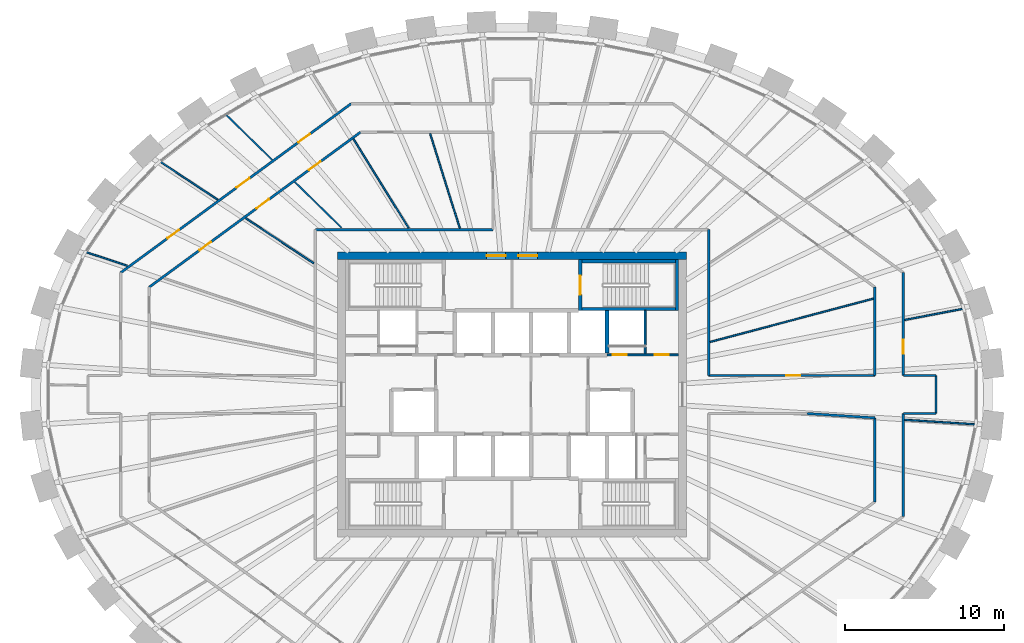
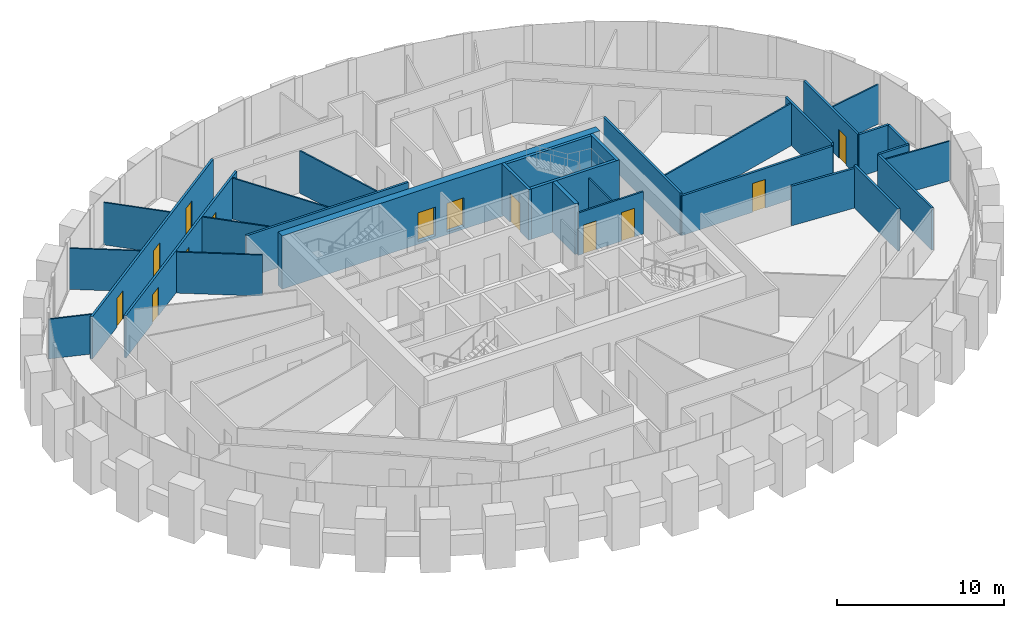
# One storey, part 9 of 11: 31 walls, 13 doors, 13 openings.
"""IFC4 building model written with IfcOpenShell, lengths in metres."""

from ifc_helpers import new_model, si_unit, direction, frame, frame_2d, origin, place, context, subcontext, project, spatial, rectangle, extrude, source, transform, mapped, material, layer, layer_set, type_object, element, fill, save


model = new_model("IFC4")

# Units and contexts
model_context = context("Model", 3, precision=1e-05, world=origin(), true_north=direction((0.0, 1.0)))
body_context = subcontext(model_context, "Body", "Model", "MODEL_VIEW")
ifc_project = project(units=[si_unit("LENGTHUNIT", "METRE"), si_unit("AREAUNIT", "SQUARE_METRE"), si_unit("VOLUMEUNIT", "CUBIC_METRE"), si_unit("PLANEANGLEUNIT", "RADIAN"), si_unit("MASSUNIT", "GRAM", prefix="KILO")], contexts=[model_context])

# Site, building, storey
site_placement = place(None, origin())
site = spatial("IfcSite", under=ifc_project, at=site_placement, CompositionType="ELEMENT")
building_placement = place(site_placement, origin())
building = spatial("IfcBuilding", under=site, at=building_placement, Name="Embergate Tower", CompositionType="ELEMENT")
storey_placement = place(building_placement, frame((0.0, 0.0, 305.199951171875)))
storey = spatial("IfcBuildingStorey", under=building, at=storey_placement, Name="L71", CompositionType="ELEMENT", Elevation=305.199951171875)

# Wall, openings, doors
ifc_material_1 = material(Name="Concrete C50", Category="concrete")
ifc_layer_1 = layer(ifc_material_1, 0.5)
ifc_layer_set_1 = layer_set([ifc_layer_1], Name="Concrete C50")
wall_type_1 = type_object("IfcWallType", Name="Core outer wall C50 500", PredefinedType="SHEAR", material=ifc_layer_set_1)
shared_shape_1 = source(origin(), body_context, "Body", "SweptSolid", [
    extrude(rectangle(XDim=22.0, YDim=0.5, at=frame_2d((11.0, 0.0))), origin(), (0.0, 0.0, 1.0), 3.89990234375),
])
wall_1_placement = place(storey_placement, frame((-11.0, 8.75, -0.199951171875), z_axis=(0.0, 0.0, 1.0), x_axis=(1.0, 0.0, 0.0)))
wall_1 = element("IfcWall", 1, at=wall_1_placement, inside=storey, type_object=wall_type_1, Name="CW-L71-N", PredefinedType="SHEAR", context=body_context, shape_type="MappedRepresentation", body=[
    mapped(shared_shape_1, transform((0.0, 0.0, 0.0))),
])
shared_shape_2 = source(origin(), body_context, "Body", "SweptSolid", [
    extrude(rectangle(XDim=1.199951171875, YDim=2.10009765625, at=frame_2d((0.60009765625, 1.050048828125))), frame((0.0, 0.260009765625, 0.0), z_axis=(0.0, -1.0, 0.0), x_axis=(1.0, 0.0, 0.0)), (0.0, 0.0, 1.0), 0.52001953125),
])
opening_1_placement = place(wall_1_placement, frame((9.39990234375, 0.0, 0.199951171875)))
opening_1 = element("IfcOpeningElement", 2, at=opening_1_placement, cuts=wall_1, Name="Opening IF-1", PredefinedType="OPENING", context=body_context, shape_type="MappedRepresentation", body=[
    mapped(shared_shape_2, transform((0.0, 0.0, 0.0))),
])
opening_2_placement = place(wall_1_placement, frame((11.39990234375, 0.0, 0.199951171875)))
opening_2 = element("IfcOpeningElement", 3, at=opening_2_placement, cuts=wall_1, Name="Opening IF-1", PredefinedType="OPENING", context=body_context, shape_type="MappedRepresentation", body=[
    mapped(shared_shape_2, transform((0.0, 0.0, 0.0))),
])
ifc_material_2 = material(Name="Escape fire door 1200")
door_type_1 = type_object("IfcDoorType", Name="Escape fire door 1200", OperationType="SINGLE_SWING_LEFT", PredefinedType="DOOR", material=ifc_material_2)
shared_shape_3 = source(origin(), body_context, "Body", "SweptSolid", [
    extrude(rectangle(XDim=1.199951171875, YDim=2.10009765625, at=frame_2d((0.60009765625, 1.050048828125))), frame((0.0, 0.02490234375, 0.0), z_axis=(0.0, -1.0, 0.0), x_axis=(1.0, 0.0, 0.0)), (0.0, 0.0, 1.0), 0.050048828125),
])
door_1_placement = place(opening_1_placement, origin())
door_1 = element("IfcDoor", 4, at=door_1_placement, inside=storey, type_object=door_type_1, Name="IF-1 door", OperationType="SINGLE_SWING_LEFT", OverallHeight=2.10009765625, OverallWidth=1.199951171875, PredefinedType="DOOR", context=body_context, shape_type="MappedRepresentation", body=[
    mapped(shared_shape_3, transform((0.0, 0.0, 0.0))),
])
fill(opening_1, door_1)
door_2_placement = place(opening_2_placement, origin())
door_2 = element("IfcDoor", 5, at=door_2_placement, inside=storey, type_object=door_type_1, Name="IF-1 door", OperationType="SINGLE_SWING_RIGHT", OverallHeight=2.10009765625, OverallWidth=1.199951171875, PredefinedType="DOOR", context=body_context, shape_type="MappedRepresentation", body=[
    mapped(shared_shape_3, transform((0.0, 0.0, 0.0))),
])
fill(opening_2, door_2)

# Walls
ifc_layer_2 = layer(ifc_material_1, 0.25)
ifc_layer_set_2 = layer_set([ifc_layer_2], Name="Concrete C50")
wall_type_2 = type_object("IfcWallType", Name="Hoistway wall reinforced concrete 250", PredefinedType="SHEAR", material=ifc_layer_set_2)
shared_shape_4 = source(origin(), body_context, "Body", "SweptSolid", [
    extrude(rectangle(XDim=2.675048828125, YDim=0.25, at=frame_2d((1.33740234375, 0.0))), origin(), (0.0, 0.0, 1.0), 3.699951171875),
])
wall_2_placement = place(storey_placement, frame((6.0, 2.625, 0.0), z_axis=(0.0, 0.0, 1.0), x_axis=(0.0, 1.0, 0.0)))
element("IfcWall", 6, at=wall_2_placement, inside=storey, type_object=wall_type_2, Name="HW-1 wall", PredefinedType="SHEAR", context=body_context, shape_type="MappedRepresentation", body=[
    mapped(shared_shape_4, transform((0.0, 0.0, 0.0))),
])
ifc_layer_3 = layer(ifc_material_1, 0.199951171875)
ifc_layer_set_3 = layer_set([ifc_layer_3], Name="Concrete C50")
wall_type_3 = type_object("IfcWallType", Name="Stair enclosure wall reinforced concrete 250", PredefinedType="SHEAR", material=ifc_layer_set_3)
shared_shape_5 = source(origin(), body_context, "Body", "SweptSolid", [
    extrude(rectangle(XDim=6.300048828125, YDim=0.199951171875, at=frame_2d((3.14990234375, 0.0))), origin(), (0.0, 0.0, 1.0), 3.699951171875),
])
wall_3_placement = place(storey_placement, frame((10.5, 5.39990234375, 0.0), z_axis=(0.0, 0.0, 1.0), x_axis=(-1.0, 0.0, 0.0)))
element("IfcWall", 7, at=wall_3_placement, inside=storey, type_object=wall_type_3, Name="SE-1 wall", PredefinedType="SHEAR", context=body_context, shape_type="MappedRepresentation", body=[
    mapped(shared_shape_5, transform((0.0, 0.0, 0.0))),
])
ifc_material_3 = material(Name="Core partition blockwork 120")
ifc_layer_4 = layer(ifc_material_3, 0.1201171875)
ifc_layer_set_4 = layer_set([ifc_layer_4], Name="Core partition blockwork 120")
wall_type_4 = type_object("IfcWallType", Name="Core partition blockwork 120", PredefinedType="PARTITIONING", material=ifc_layer_set_4)
shared_shape_6 = source(origin(), body_context, "Body", "SweptSolid", [
    extrude(rectangle(XDim=2.739990234375, YDim=0.1201171875, at=frame_2d((1.3701171875, 0.0))), origin(), (0.0, 0.0, 1.0), 3.10009765625),
])
wall_4_placement = place(storey_placement, frame((8.39990234375, 2.56005859375, 0.0), z_axis=(0.0, 0.0, 1.0), x_axis=(0.0, 1.0, 0.0)))
element("IfcWall", 8, at=wall_4_placement, inside=storey, type_object=wall_type_4, Name="IP-3 wall", PredefinedType="PARTITIONING", context=body_context, shape_type="MappedRepresentation", body=[
    mapped(shared_shape_6, transform((0.0, 0.0, 0.0))),
])

# Wall, opening, door
shared_shape_7 = source(origin(), body_context, "Body", "SweptSolid", [
    extrude(rectangle(XDim=3.199951171875, YDim=0.199951171875, at=frame_2d((1.60009765625, 0.0))), origin(), (0.0, 0.0, 1.0), 3.699951171875),
])
wall_5_placement = place(storey_placement, frame((4.300048828125, 8.5, 0.0), z_axis=(0.0, 0.0, 1.0), x_axis=(0.0, -1.0, 0.0)))
wall_5 = element("IfcWall", 9, at=wall_5_placement, inside=storey, type_object=wall_type_3, Name="SE-1 wall", PredefinedType="SHEAR", context=body_context, shape_type="MappedRepresentation", body=[
    mapped(shared_shape_7, transform((0.0, 0.0, 0.0))),
])
shared_shape_8 = source(origin(), body_context, "Body", "SweptSolid", [
    extrude(rectangle(XDim=1.199951171875, YDim=2.10009765625, at=frame_2d((0.60009765625, 1.050048828125))), frame((0.0, 0.10986328125, 0.0), z_axis=(0.0, -1.0, 0.0), x_axis=(1.0, 0.0, 0.0)), (0.0, 0.0, 1.0), 0.219970703125),
])
opening_3_placement = place(wall_5_placement, frame((1.0, 0.0, 0.0)))
opening_3 = element("IfcOpeningElement", 10, at=opening_3_placement, cuts=wall_5, Name="Opening IF-2", PredefinedType="OPENING", context=body_context, shape_type="MappedRepresentation", body=[
    mapped(shared_shape_8, transform((0.0, 0.0, 0.0))),
])
ifc_material_4 = material(Name="Stair enclosure door 1200")
door_type_2 = type_object("IfcDoorType", Name="Stair enclosure door 1200", OperationType="SINGLE_SWING_LEFT", PredefinedType="DOOR", material=ifc_material_4)
door_3_placement = place(opening_3_placement, origin())
door_3 = element("IfcDoor", 11, at=door_3_placement, inside=storey, type_object=door_type_2, Name="IF-2 door", OperationType="SINGLE_SWING_LEFT", OverallHeight=2.10009765625, OverallWidth=1.199951171875, PredefinedType="DOOR", context=body_context, shape_type="MappedRepresentation", body=[
    mapped(shared_shape_3, transform((0.0, 0.0, 0.0))),
])
fill(opening_3, door_3)

# Walls
ifc_material_5 = material(Name="Partition dry-lined 100")
ifc_layer_5 = layer(ifc_material_5, 0.10009765625)
ifc_layer_set_5 = layer_set([ifc_layer_5], Name="Partition dry-lined 100")
wall_type_5 = type_object("IfcWallType", Name="Partition dry-lined 100", PredefinedType="PARTITIONING", material=ifc_layer_set_5)
shared_shape_9 = source(origin(), body_context, "Body", "SweptSolid", [
    extrude(rectangle(XDim=4.35986328125, YDim=0.10009765625, at=frame_2d((2.179931640625, 0.0))), origin(), (0.0, 0.0, 1.0), 3.0),
])
wall_6_placement = place(storey_placement, frame((-18.56103515625, 12.283935546875, 0.0), z_axis=(0.0, 0.0, 1.0), x_axis=(-0.833949259323, 0.551841130104, 0.0)))
element("IfcWall", 12, at=wall_6_placement, inside=storey, type_object=wall_type_5, Name="IP-1 wall", PredefinedType="PARTITIONING", context=body_context, shape_type="MappedRepresentation", body=[
    mapped(shared_shape_9, transform((0.0, 0.0, 0.0))),
])
shared_shape_10 = source(origin(), body_context, "Body", "SweptSolid", [
    extrude(rectangle(XDim=6.298095703125, YDim=0.199951171875, at=frame_2d((3.14892578125, 0.0))), origin(), (0.0, 0.0, 1.0), 3.699951171875),
])
wall_7_placement = place(storey_placement, frame((10.5, 8.39990234375, 0.0), z_axis=(0.0, 0.0, 1.0), x_axis=(-1.0, 0.0, 0.0)))
element("IfcWall", 13, at=wall_7_placement, inside=storey, type_object=wall_type_3, Name="SE-1 wall", PredefinedType="SHEAR", context=body_context, shape_type="MappedRepresentation", body=[
    mapped(shared_shape_10, transform((0.0, 0.0, 0.0))),
])
shared_shape_11 = source(origin(), body_context, "Body", "SweptSolid", [
    extrude(rectangle(XDim=3.197998046875, YDim=0.199951171875, at=frame_2d((1.59912109375, 0.0))), origin(), (0.0, 0.0, 1.0), 3.699951171875),
])
wall_8_placement = place(storey_placement, frame((10.39990234375, 5.302001953125, 0.0), z_axis=(0.0, 0.0, 1.0), x_axis=(0.0, 1.0, 0.0)))
element("IfcWall", 14, at=wall_8_placement, inside=storey, type_object=wall_type_3, Name="SE-1 wall", PredefinedType="SHEAR", context=body_context, shape_type="MappedRepresentation", body=[
    mapped(shared_shape_11, transform((0.0, 0.0, 0.0))),
])
ifc_material_6 = material(Name="Corridor wall dry-lined 150")
ifc_layer_6 = layer(ifc_material_6, 0.14990234375)
ifc_layer_set_6 = layer_set([ifc_layer_6], Name="Corridor wall dry-lined 150")
wall_type_6 = type_object("IfcWallType", Name="Corridor wall dry-lined 150", PredefinedType="PARTITIONING", material=ifc_layer_set_6)
shared_shape_12 = source(origin(), body_context, "Body", "SweptSolid", [
    extrude(rectangle(XDim=9.199951171875, YDim=0.14990234375, at=frame_2d((4.60009765625, 0.0))), origin(), (0.0, 0.0, 1.0), 3.10009765625),
])
wall_9_placement = place(storey_placement, frame((12.39990234375, 10.39990234375, 0.0), z_axis=(0.0, 0.0, 1.0), x_axis=(0.0, -1.0, 0.0)))
element("IfcWall", 15, at=wall_9_placement, inside=storey, type_object=wall_type_6, Name="IP-2 wall", PredefinedType="PARTITIONING", context=body_context, shape_type="MappedRepresentation", body=[
    mapped(shared_shape_12, transform((0.0, 0.0, 0.0))),
])
shared_shape_13 = source(origin(), body_context, "Body", "SweptSolid", [
    extrude(rectangle(XDim=11.199951171875, YDim=0.14990234375, at=frame_2d((5.60009765625, 0.0))), origin(), (0.0, 0.0, 1.0), 3.10009765625),
])
wall_10_placement = place(storey_placement, frame((-12.39990234375, 10.39990234375, 0.0), z_axis=(0.0, 0.0, 1.0), x_axis=(1.0, 0.0, 0.0)))
element("IfcWall", 16, at=wall_10_placement, inside=storey, type_object=wall_type_6, Name="IP-2 wall", PredefinedType="PARTITIONING", context=body_context, shape_type="MappedRepresentation", body=[
    mapped(shared_shape_13, transform((0.0, 0.0, 0.0))),
])
shared_shape_14 = source(origin(), body_context, "Body", "SweptSolid", [
    extrude(rectangle(XDim=2.39990234375, YDim=0.14990234375, at=frame_2d((1.199951171875, 0.0))), origin(), (0.0, 0.0, 1.0), 3.10009765625),
])
wall_11_placement = place(storey_placement, frame((26.740966796875, -1.199951171875, 0.0), z_axis=(0.0, 0.0, 1.0), x_axis=(0.0, 1.0, 0.0)))
element("IfcWall", 17, at=wall_11_placement, inside=storey, type_object=wall_type_6, Name="IP-2 wall", PredefinedType="PARTITIONING", context=body_context, shape_type="MappedRepresentation", body=[
    mapped(shared_shape_14, transform((0.0, 0.0, 0.0))),
])

# Wall, openings, doors
shared_shape_15 = source(origin(), body_context, "Body", "SweptSolid", [
    extrude(rectangle(XDim=4.5, YDim=0.1201171875, at=frame_2d((2.25, 0.0))), origin(), (0.0, 0.0, 1.0), 3.10009765625),
])
wall_12_placement = place(storey_placement, frame((6.0, 2.5, 0.0), z_axis=(0.0, 0.0, 1.0), x_axis=(1.0, 0.0, 0.0)))
wall_12 = element("IfcWall", 18, at=wall_12_placement, inside=storey, type_object=wall_type_4, Name="IP-3 wall", PredefinedType="PARTITIONING", context=body_context, shape_type="MappedRepresentation", body=[
    mapped(shared_shape_15, transform((0.0, 0.0, 0.0))),
])
shared_shape_16 = source(origin(), body_context, "Body", "SweptSolid", [
    extrude(rectangle(XDim=0.89990234375, YDim=2.10009765625, at=frame_2d((0.449951171875, 1.050048828125))), frame((0.0, 0.070068359375, 0.0), z_axis=(0.0, -1.0, 0.0), x_axis=(1.0, 0.0, 0.0)), (0.0, 0.0, 1.0), 0.14013671875),
])
opening_4_placement = place(wall_12_placement, frame((0.35009765625, 0.0, 0.0)))
opening_4 = element("IfcOpeningElement", 19, at=opening_4_placement, cuts=wall_12, Name="Opening ID-1", PredefinedType="OPENING", context=body_context, shape_type="MappedRepresentation", body=[
    mapped(shared_shape_16, transform((0.0, 0.0, 0.0))),
])
opening_5_placement = place(wall_12_placement, frame((3.0, 0.0, 0.0)))
opening_5 = element("IfcOpeningElement", 20, at=opening_5_placement, cuts=wall_12, Name="Opening ID-1", PredefinedType="OPENING", context=body_context, shape_type="MappedRepresentation", body=[
    mapped(shared_shape_16, transform((0.0, 0.0, 0.0))),
])
ifc_material_7 = material(Name="Interior door 900")
door_type_3 = type_object("IfcDoorType", Name="Interior door 900", OperationType="SINGLE_SWING_LEFT", PredefinedType="DOOR", material=ifc_material_7)
shared_shape_17 = source(origin(), body_context, "Body", "SweptSolid", [
    extrude(rectangle(XDim=0.89990234375, YDim=2.10009765625, at=frame_2d((0.449951171875, 1.050048828125))), frame((0.0, 0.02490234375, 0.0), z_axis=(0.0, -1.0, 0.0), x_axis=(1.0, 0.0, 0.0)), (0.0, 0.0, 1.0), 0.050048828125),
])
door_4_placement = place(opening_4_placement, origin())
door_4 = element("IfcDoor", 21, at=door_4_placement, inside=storey, type_object=door_type_3, Name="ID-1 door", OperationType="SINGLE_SWING_LEFT", OverallHeight=2.10009765625, OverallWidth=0.89990234375, PredefinedType="DOOR", context=body_context, shape_type="MappedRepresentation", body=[
    mapped(shared_shape_17, transform((0.0, 0.0, 0.0))),
])
fill(opening_4, door_4)
door_5_placement = place(opening_5_placement, origin())
door_5 = element("IfcDoor", 22, at=door_5_placement, inside=storey, type_object=door_type_3, Name="ID-1 door", OperationType="SINGLE_SWING_RIGHT", OverallHeight=2.10009765625, OverallWidth=0.89990234375, PredefinedType="DOOR", context=body_context, shape_type="MappedRepresentation", body=[
    mapped(shared_shape_17, transform((0.0, 0.0, 0.0))),
])
fill(opening_5, door_5)

shared_shape_18 = source(origin(), body_context, "Body", "SweptSolid", [
    extrude(rectangle(XDim=18.027099609375, YDim=0.14990234375, at=frame_2d((9.013671875, 0.0))), origin(), (0.0, 0.0, 1.0), 3.10009765625),
])
wall_13_placement = place(storey_placement, frame((-10.14501953125, 18.341064453125, 0.0), z_axis=(0.0, 0.0, 1.0), x_axis=(-0.80638475932, -0.591391257914, 0.0)))
wall_13 = element("IfcWall", 23, at=wall_13_placement, inside=storey, type_object=wall_type_6, Name="IP-2 wall", PredefinedType="PARTITIONING", context=body_context, shape_type="MappedRepresentation", body=[
    mapped(shared_shape_18, transform((0.0, 0.0, 0.0))),
])
shared_shape_19 = source(origin(), body_context, "Body", "SweptSolid", [
    extrude(rectangle(XDim=0.89990234375, YDim=2.10009765625, at=frame_2d((0.449951171875, 1.050048828125))), frame((0.0, 0.0849609375, 0.0), z_axis=(0.0, -1.0, 0.0), x_axis=(1.0, 0.0, 0.0)), (0.0, 0.0, 1.0), 0.169921875),
])
opening_6_placement = place(wall_13_placement, frame((3.23291015625, 0.0, 0.0)))
opening_6 = element("IfcOpeningElement", 24, at=opening_6_placement, cuts=wall_13, Name="Opening IF-1c", PredefinedType="OPENING", context=body_context, shape_type="MappedRepresentation", body=[
    mapped(shared_shape_19, transform((0.0, 0.0, 0.0))),
])
shared_shape_20 = source(origin(), body_context, "Body", "SweptSolid", [
    extrude(rectangle(XDim=1.0, YDim=2.10009765625, at=frame_2d((0.5, 1.050048828125))), frame((0.0, 0.0849609375, 0.0), z_axis=(0.0, -1.0, 0.0), x_axis=(1.0, 0.0, 0.0)), (0.0, 0.0, 1.0), 0.169921875),
])
opening_7_placement = place(wall_13_placement, frame((7.953125, 0.0, 0.0)))
opening_7 = element("IfcOpeningElement", 25, at=opening_7_placement, cuts=wall_13, Name="Opening ID-2", PredefinedType="OPENING", context=body_context, shape_type="MappedRepresentation", body=[
    mapped(shared_shape_20, transform((0.0, 0.0, 0.0))),
])
opening_8_placement = place(wall_13_placement, frame((13.453369140625, 0.0, 0.0)))
opening_8 = element("IfcOpeningElement", 26, at=opening_8_placement, cuts=wall_13, Name="Opening IF-1c", PredefinedType="OPENING", context=body_context, shape_type="MappedRepresentation", body=[
    mapped(shared_shape_19, transform((0.0, 0.0, 0.0))),
])
ifc_material_8 = material(Name="Escape fire door 900")
door_type_4 = type_object("IfcDoorType", Name="Escape fire door 900", OperationType="SINGLE_SWING_LEFT", PredefinedType="DOOR", material=ifc_material_8)
door_6_placement = place(opening_6_placement, origin())
door_6 = element("IfcDoor", 27, at=door_6_placement, inside=storey, type_object=door_type_4, Name="IF-1 door", OperationType="SINGLE_SWING_RIGHT", OverallHeight=2.10009765625, OverallWidth=0.89990234375, PredefinedType="DOOR", context=body_context, shape_type="MappedRepresentation", body=[
    mapped(shared_shape_17, transform((0.0, 0.0, 0.0))),
])
fill(opening_6, door_6)
door_7_placement = place(opening_8_placement, origin())
door_7 = element("IfcDoor", 28, at=door_7_placement, inside=storey, type_object=door_type_4, Name="IF-1 door", OperationType="SINGLE_SWING_RIGHT", OverallHeight=2.10009765625, OverallWidth=0.89990234375, PredefinedType="DOOR", context=body_context, shape_type="MappedRepresentation", body=[
    mapped(shared_shape_17, transform((0.0, 0.0, 0.0))),
])
fill(opening_8, door_7)
ifc_material_9 = material(Name="Interior door 1000")
door_type_5 = type_object("IfcDoorType", Name="Interior door 1000", OperationType="SINGLE_SWING_LEFT", PredefinedType="DOOR", material=ifc_material_9)
shared_shape_21 = source(origin(), body_context, "Body", "SweptSolid", [
    extrude(rectangle(XDim=1.0, YDim=2.10009765625, at=frame_2d((0.5, 1.050048828125))), frame((0.0, 0.02490234375, 0.0), z_axis=(0.0, -1.0, 0.0), x_axis=(1.0, 0.0, 0.0)), (0.0, 0.0, 1.0), 0.050048828125),
])
door_8_placement = place(opening_7_placement, origin())
door_8 = element("IfcDoor", 29, at=door_8_placement, inside=storey, type_object=door_type_5, Name="ID-2 door", OperationType="SINGLE_SWING_RIGHT", OverallHeight=2.10009765625, OverallWidth=1.0, PredefinedType="DOOR", context=body_context, shape_type="MappedRepresentation", body=[
    mapped(shared_shape_21, transform((0.0, 0.0, 0.0))),
])
fill(opening_7, door_8)

shared_shape_22 = source(origin(), body_context, "Body", "SweptSolid", [
    extrude(rectangle(XDim=16.525634765625, YDim=0.14990234375, at=frame_2d((8.2626953125, 0.0))), origin(), (0.0, 0.0, 1.0), 3.10009765625),
])
wall_14_placement = place(storey_placement, frame((-22.882080078125, 6.76806640625, 0.0), z_axis=(0.0, 0.0, 1.0), x_axis=(0.806392784122, 0.591380315631, 0.0)))
wall_14 = element("IfcWall", 30, at=wall_14_placement, inside=storey, type_object=wall_type_6, Name="IP-2 wall", PredefinedType="PARTITIONING", context=body_context, shape_type="MappedRepresentation", body=[
    mapped(shared_shape_22, transform((0.0, 0.0, 0.0))),
])
opening_9_placement = place(wall_14_placement, frame((12.513671875, 0.0, 0.0)))
opening_9 = element("IfcOpeningElement", 31, at=opening_9_placement, cuts=wall_14, Name="Opening IF-1c", PredefinedType="OPENING", context=body_context, shape_type="MappedRepresentation", body=[
    mapped(shared_shape_19, transform((0.0, 0.0, 0.0))),
])
opening_10_placement = place(wall_14_placement, frame((8.378662109375, 0.0, 0.0)))
opening_10 = element("IfcOpeningElement", 32, at=opening_10_placement, cuts=wall_14, Name="Opening ID-2", PredefinedType="OPENING", context=body_context, shape_type="MappedRepresentation", body=[
    mapped(shared_shape_20, transform((0.0, 0.0, 0.0))),
])
opening_11_placement = place(wall_14_placement, frame((3.93310546875, 0.0, 0.0)))
opening_11 = element("IfcOpeningElement", 33, at=opening_11_placement, cuts=wall_14, Name="Opening IF-1c", PredefinedType="OPENING", context=body_context, shape_type="MappedRepresentation", body=[
    mapped(shared_shape_19, transform((0.0, 0.0, 0.0))),
])
door_9_placement = place(opening_9_placement, origin())
door_9 = element("IfcDoor", 34, at=door_9_placement, inside=storey, type_object=door_type_4, Name="IF-1 door", OperationType="SINGLE_SWING_LEFT", OverallHeight=2.10009765625, OverallWidth=0.89990234375, PredefinedType="DOOR", context=body_context, shape_type="MappedRepresentation", body=[
    mapped(shared_shape_17, transform((0.0, 0.0, 0.0))),
])
fill(opening_9, door_9)
door_10_placement = place(opening_11_placement, origin())
door_10 = element("IfcDoor", 35, at=door_10_placement, inside=storey, type_object=door_type_4, Name="IF-1 door", OperationType="SINGLE_SWING_RIGHT", OverallHeight=2.10009765625, OverallWidth=0.89990234375, PredefinedType="DOOR", context=body_context, shape_type="MappedRepresentation", body=[
    mapped(shared_shape_17, transform((0.0, 0.0, 0.0))),
])
fill(opening_11, door_10)
door_11_placement = place(opening_10_placement, origin())
door_11 = element("IfcDoor", 36, at=door_11_placement, inside=storey, type_object=door_type_5, Name="ID-2 door", OperationType="SINGLE_SWING_LEFT", OverallHeight=2.10009765625, OverallWidth=1.0, PredefinedType="DOOR", context=body_context, shape_type="MappedRepresentation", body=[
    mapped(shared_shape_21, transform((0.0, 0.0, 0.0))),
])
fill(opening_10, door_11)

# Wall
ifc_material_10 = material(Name="Corridor wall dry-lined 150 wet")
ifc_layer_7 = layer(ifc_material_10, 0.14990234375)
ifc_layer_set_7 = layer_set([ifc_layer_7], Name="Corridor wall dry-lined 150 wet")
wall_type_7 = type_object("IfcWallType", Name="Corridor wall dry-lined 150 wet", PredefinedType="PLUMBINGWALL", material=ifc_layer_set_7)
shared_shape_23 = source(origin(), body_context, "Body", "SweptSolid", [
    extrude(rectangle(XDim=6.47998046875, YDim=0.14990234375, at=frame_2d((3.239990234375, 0.0))), origin(), (0.0, 0.0, 1.0), 3.10009765625),
])
wall_15_placement = place(storey_placement, frame((24.681884765625, -7.679931640625, 0.0), z_axis=(0.0, 0.0, 1.0), x_axis=(0.0, 1.0, 0.0)))
element("IfcWall", 37, at=wall_15_placement, inside=storey, type_object=wall_type_7, Name="IP-2 wall", PredefinedType="PLUMBINGWALL", context=body_context, shape_type="MappedRepresentation", body=[
    mapped(shared_shape_23, transform((0.0, 0.0, 0.0))),
])

# Wall, opening, door
wall_16_placement = place(storey_placement, frame((24.681884765625, 1.199951171875, 0.0), z_axis=(0.0, 0.0, 1.0), x_axis=(0.0, 1.0, 0.0)))
wall_16 = element("IfcWall", 38, at=wall_16_placement, inside=storey, type_object=wall_type_6, Name="IP-2 wall", PredefinedType="PARTITIONING", context=body_context, shape_type="MappedRepresentation", body=[
    mapped(shared_shape_23, transform((0.0, 0.0, 0.0))),
])
opening_12_placement = place(wall_16_placement, frame((1.35498046875, 0.0, 0.0)))
opening_12 = element("IfcOpeningElement", 39, at=opening_12_placement, cuts=wall_16, Name="Opening IF-1c", PredefinedType="OPENING", context=body_context, shape_type="MappedRepresentation", body=[
    mapped(shared_shape_19, transform((0.0, 0.0, 0.0))),
])
door_12_placement = place(opening_12_placement, origin())
door_12 = element("IfcDoor", 40, at=door_12_placement, inside=storey, type_object=door_type_4, Name="IF-1 door", OperationType="SINGLE_SWING_RIGHT", OverallHeight=2.10009765625, OverallWidth=0.89990234375, PredefinedType="DOOR", context=body_context, shape_type="MappedRepresentation", body=[
    mapped(shared_shape_17, transform((0.0, 0.0, 0.0))),
])
fill(opening_12, door_12)

# Walls
shared_shape_24 = source(origin(), body_context, "Body", "SweptSolid", [
    extrude(rectangle(XDim=4.27294921875, YDim=0.14990234375, at=frame_2d((2.136474609375, 0.0))), origin(), (0.0, 0.0, 1.0), 2.900146484375),
])
wall_17_placement = place(storey_placement, frame((18.617919921875, -1.199951171875, 0.0), z_axis=(0.0, 0.0, 1.0), x_axis=(0.997924716851, -0.064391455164, 0.0)))
element("IfcWall", 41, at=wall_17_placement, inside=storey, type_object=wall_type_6, Name="IP-2 wall", PredefinedType="PARTITIONING", context=body_context, shape_type="MappedRepresentation", body=[
    mapped(shared_shape_24, transform((0.0, 0.0, 0.0))),
])
shared_shape_25 = source(origin(), body_context, "Body", "SweptSolid", [
    extrude(rectangle(XDim=5.29296875, YDim=0.14990234375, at=frame_2d((2.646484375, 0.0))), origin(), (0.0, 0.0, 1.0), 3.10009765625),
])
wall_18_placement = place(storey_placement, frame((22.882080078125, -1.47509765625, 0.0), z_axis=(0.0, 0.0, 1.0), x_axis=(0.0, -1.0, 0.0)))
element("IfcWall", 42, at=wall_18_placement, inside=storey, type_object=wall_type_6, Name="IP-2 wall", PredefinedType="PARTITIONING", context=body_context, shape_type="MappedRepresentation", body=[
    mapped(shared_shape_25, transform((0.0, 0.0, 0.0))),
])
shared_shape_26 = source(origin(), body_context, "Body", "SweptSolid", [
    extrude(rectangle(XDim=2.05908203125, YDim=0.14990234375, at=frame_2d((1.029541015625, 0.0))), origin(), (0.0, 0.0, 1.0), 3.10009765625),
])
for number, where, z_axis, x_axis, name in (
    (43, (24.681884765625, -1.199951171875, 0.0), (0.0, 0.0, 1.0), (1.0, 0.0, 0.0), "IP-2 wall"),
    (44, (26.740966796875, 1.199951171875, 0.0), (0.0, 0.0, 1.0), (-1.0, 0.0, 0.0), "IP-2 wall"),
):
    element("IfcWall", number, at=place(storey_placement, frame(where, z_axis=z_axis, x_axis=x_axis)), inside=storey, type_object=wall_type_6, Name=name, PredefinedType="PARTITIONING", context=body_context, shape_type="MappedRepresentation", body=[
        mapped(shared_shape_26, transform((0.0, 0.0, 0.0))),
    ])

# Wall, opening, door
shared_shape_27 = source(origin(), body_context, "Body", "SweptSolid", [
    extrude(rectangle(XDim=10.482177734375, YDim=0.14990234375, at=frame_2d((5.2412109375, 0.0))), origin(), (0.0, 0.0, 1.0), 2.900146484375),
])
wall_19_placement = place(storey_placement, frame((12.39990234375, 1.199951171875, 0.0), z_axis=(0.0, 0.0, 1.0), x_axis=(1.0, 0.0, 0.0)))
wall_19 = element("IfcWall", 45, at=wall_19_placement, inside=storey, type_object=wall_type_6, Name="IP-2 wall", PredefinedType="PARTITIONING", context=body_context, shape_type="MappedRepresentation", body=[
    mapped(shared_shape_27, transform((0.0, 0.0, 0.0))),
])
opening_13_placement = place(wall_19_placement, frame((4.881103515625, 0.0, 0.0)))
opening_13 = element("IfcOpeningElement", 46, at=opening_13_placement, cuts=wall_19, Name="Opening IF-1c", PredefinedType="OPENING", context=body_context, shape_type="MappedRepresentation", body=[
    mapped(shared_shape_19, transform((0.0, 0.0, 0.0))),
])
door_13_placement = place(opening_13_placement, origin())
door_13 = element("IfcDoor", 47, at=door_13_placement, inside=storey, type_object=door_type_4, Name="IF-1 door", OperationType="SINGLE_SWING_RIGHT", OverallHeight=2.10009765625, OverallWidth=0.89990234375, PredefinedType="DOOR", context=body_context, shape_type="MappedRepresentation", body=[
    mapped(shared_shape_17, transform((0.0, 0.0, 0.0))),
])
fill(opening_13, door_13)

# Walls
shared_shape_28 = source(origin(), body_context, "Body", "SweptSolid", [
    extrude(rectangle(XDim=5.568115234375, YDim=0.14990234375, at=frame_2d((2.7841796875, 0.0))), origin(), (0.0, 0.0, 1.0), 3.10009765625),
])
wall_20_placement = place(storey_placement, frame((22.882080078125, 1.199951171875, 0.0), z_axis=(0.0, 0.0, 1.0), x_axis=(0.0, 1.0, 0.0)))
element("IfcWall", 48, at=wall_20_placement, inside=storey, type_object=wall_type_6, Name="IP-2 wall", PredefinedType="PARTITIONING", context=body_context, shape_type="MappedRepresentation", body=[
    mapped(shared_shape_28, transform((0.0, 0.0, 0.0))),
])
shared_shape_29 = source(origin(), body_context, "Body", "SweptSolid", [
    extrude(rectangle(XDim=2.76171875, YDim=0.10009765625, at=frame_2d((1.380859375, 0.0))), origin(), (0.0, 0.0, 1.0), 2.900146484375),
])
wall_21_placement = place(storey_placement, frame((-24.264892578125, 8.114013671875, 0.0), z_axis=(0.0, 0.0, 1.0), x_axis=(-0.948364574498, 0.317182335319, 0.0)))
element("IfcWall", 49, at=wall_21_placement, inside=storey, type_object=wall_type_5, Name="IP-1 wall", PredefinedType="PARTITIONING", context=body_context, shape_type="MappedRepresentation", body=[
    mapped(shared_shape_29, transform((0.0, 0.0, 0.0))),
])
shared_shape_30 = source(origin(), body_context, "Body", "SweptSolid", [
    extrude(rectangle(XDim=6.612060546875, YDim=0.10009765625, at=frame_2d((3.30615234375, 0.0))), origin(), (0.0, 0.0, 1.0), 3.0),
])
wall_22_placement = place(storey_placement, frame((-6.51806640625, 10.5009765625, 0.0), z_axis=(0.0, 0.0, 1.0), x_axis=(-0.527344479033, 0.849651575902, 0.0)))
element("IfcWall", 50, at=wall_22_placement, inside=storey, type_object=wall_type_5, Name="IP-1 wall", PredefinedType="PARTITIONING", context=body_context, shape_type="MappedRepresentation", body=[
    mapped(shared_shape_30, transform((0.0, 0.0, 0.0))),
])
ifc_material_11 = material(Name="Partition dry-lined 100 wet")
ifc_layer_8 = layer(ifc_material_11, 0.10009765625)
ifc_layer_set_8 = layer_set([ifc_layer_8], Name="Partition dry-lined 100 wet")
wall_type_8 = type_object("IfcWallType", Name="Partition dry-lined 100 wet", PredefinedType="PLUMBINGWALL", material=ifc_layer_set_8)
shared_shape_31 = source(origin(), body_context, "Body", "SweptSolid", [
    extrude(rectangle(XDim=4.4892578125, YDim=0.10009765625, at=frame_2d((2.24462890625, 0.0))), origin(), (0.0, 0.0, 1.0), 2.900146484375),
])
wall_23_placement = place(storey_placement, frame((29.236083984375, -1.884033203125, 0.0), z_axis=(0.0, 0.0, 1.0), x_axis=(-0.997938812399, 0.064172632078, 0.0)))
element("IfcWall", 51, at=wall_23_placement, inside=storey, type_object=wall_type_8, Name="IP-1 wall", PredefinedType="PLUMBINGWALL", context=body_context, shape_type="MappedRepresentation", body=[
    mapped(shared_shape_31, transform((0.0, 0.0, 0.0))),
])
shared_shape_32 = source(origin(), body_context, "Body", "SweptSolid", [
    extrude(rectangle(XDim=3.77734375, YDim=0.10009765625, at=frame_2d((1.888671875, 0.0))), origin(), (0.0, 0.0, 1.0), 2.900146484375),
])
wall_24_placement = place(storey_placement, frame((28.47705078125, 5.407958984375, 0.0), z_axis=(0.0, 0.0, 1.0), x_axis=(-0.982424451701, -0.186660645823, 0.0)))
element("IfcWall", 52, at=wall_24_placement, inside=storey, type_object=wall_type_5, Name="IP-1 wall", PredefinedType="PARTITIONING", context=body_context, shape_type="MappedRepresentation", body=[
    mapped(shared_shape_32, transform((0.0, 0.0, 0.0))),
])
shared_shape_33 = source(origin(), body_context, "Body", "SweptSolid", [
    extrude(rectangle(XDim=10.662353515625, YDim=0.10009765625, at=frame_2d((5.3310546875, 0.0))), origin(), (0.0, 0.0, 1.0), 3.10009765625),
])
wall_25_placement = place(storey_placement, frame((22.7939453125, 6.0458984375, 0.0), z_axis=(0.0, 0.0, 1.0), x_axis=(-0.9665693176, -0.256405448996, 0.0)))
element("IfcWall", 53, at=wall_25_placement, inside=storey, type_object=wall_type_5, Name="IP-1 wall", PredefinedType="PARTITIONING", context=body_context, shape_type="MappedRepresentation", body=[
    mapped(shared_shape_33, transform((0.0, 0.0, 0.0))),
])
shared_shape_34 = source(origin(), body_context, "Body", "SweptSolid", [
    extrude(rectangle(XDim=6.247802734375, YDim=0.10009765625, at=frame_2d((3.1240234375, 0.0))), origin(), (0.0, 0.0, 1.0), 3.10009765625),
])
wall_26_placement = place(storey_placement, frame((-3.29296875, 10.489990234375, 0.0), z_axis=(0.0, 0.0, 1.0), x_axis=(-0.299485162949, 0.954100957537, 0.0)))
element("IfcWall", 54, at=wall_26_placement, inside=storey, type_object=wall_type_5, Name="IP-1 wall", PredefinedType="PARTITIONING", context=body_context, shape_type="MappedRepresentation", body=[
    mapped(shared_shape_34, transform((0.0, 0.0, 0.0))),
])
shared_shape_35 = source(origin(), body_context, "Body", "SweptSolid", [
    extrude(rectangle(XDim=4.14306640625, YDim=0.10009765625, at=frame_2d((2.071533203125, 0.0))), origin(), (0.0, 0.0, 1.0), 3.10009765625),
])
wall_27_placement = place(storey_placement, frame((-15.12109375, 14.794921875, 0.0), z_axis=(0.0, 0.0, 1.0), x_axis=(-0.714900619225, 0.69922607548, 0.0)))
element("IfcWall", 55, at=wall_27_placement, inside=storey, type_object=wall_type_5, Name="IP-1 wall", PredefinedType="PARTITIONING", context=body_context, shape_type="MappedRepresentation", body=[
    mapped(shared_shape_35, transform((0.0, 0.0, 0.0))),
])
shared_shape_36 = source(origin(), body_context, "Body", "SweptSolid", [
    extrude(rectangle(XDim=4.132568359375, YDim=0.10009765625, at=frame_2d((2.06640625, 0.0))), origin(), (0.0, 0.0, 1.0), 3.10009765625),
])
wall_28_placement = place(storey_placement, frame((-10.742919921875, 10.510986328125, 0.0), z_axis=(0.0, 0.0, 1.0), x_axis=(-0.71483274161, 0.69929546797, 0.0)))
element("IfcWall", 56, at=wall_28_placement, inside=storey, type_object=wall_type_5, Name="IP-1 wall", PredefinedType="PARTITIONING", context=body_context, shape_type="MappedRepresentation", body=[
    mapped(shared_shape_36, transform((0.0, 0.0, 0.0))),
])
shared_shape_37 = source(origin(), body_context, "Body", "SweptSolid", [
    extrude(rectangle(XDim=5.1494140625, YDim=0.10009765625, at=frame_2d((2.57470703125, 0.0))), origin(), (0.0, 0.0, 1.0), 3.0),
])
wall_29_placement = place(storey_placement, frame((-12.5029296875, 8.27392578125, 0.0), z_axis=(0.0, 0.0, 1.0), x_axis=(-0.833905572374, 0.551907144693, 0.0)))
element("IfcWall", 57, at=wall_29_placement, inside=storey, type_object=wall_type_5, Name="IP-1 wall", PredefinedType="PARTITIONING", context=body_context, shape_type="MappedRepresentation", body=[
    mapped(shared_shape_37, transform((0.0, 0.0, 0.0))),
])

save(model, "model.ifc")
